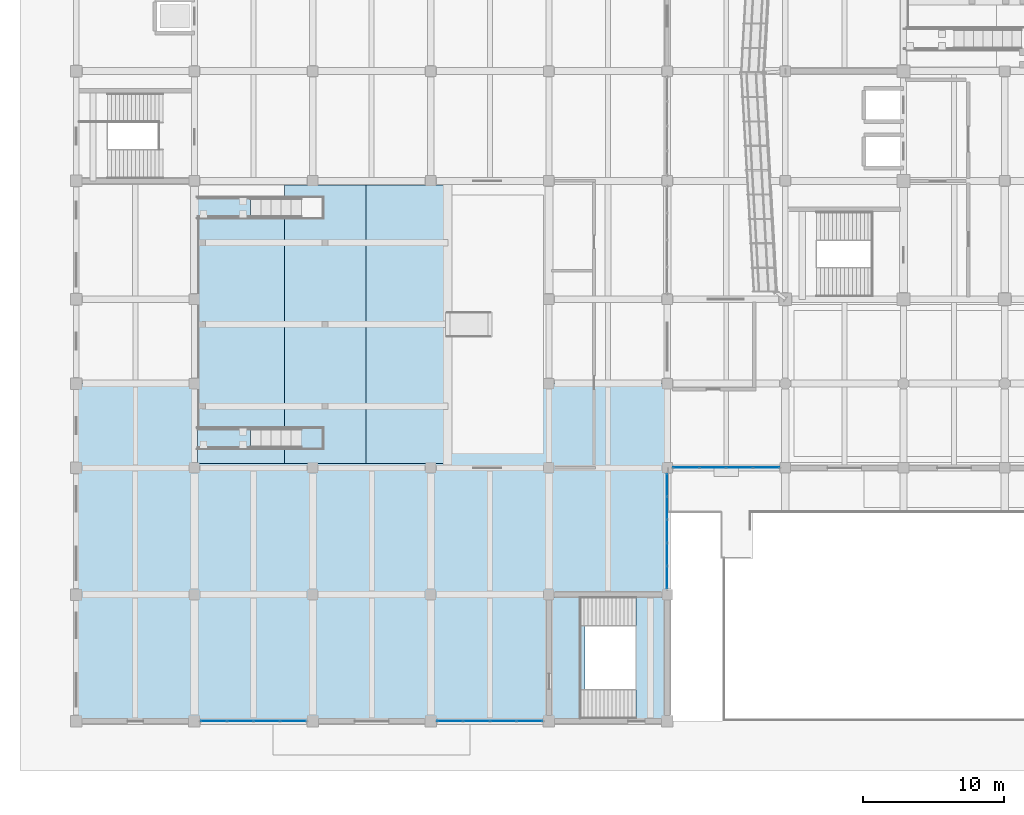
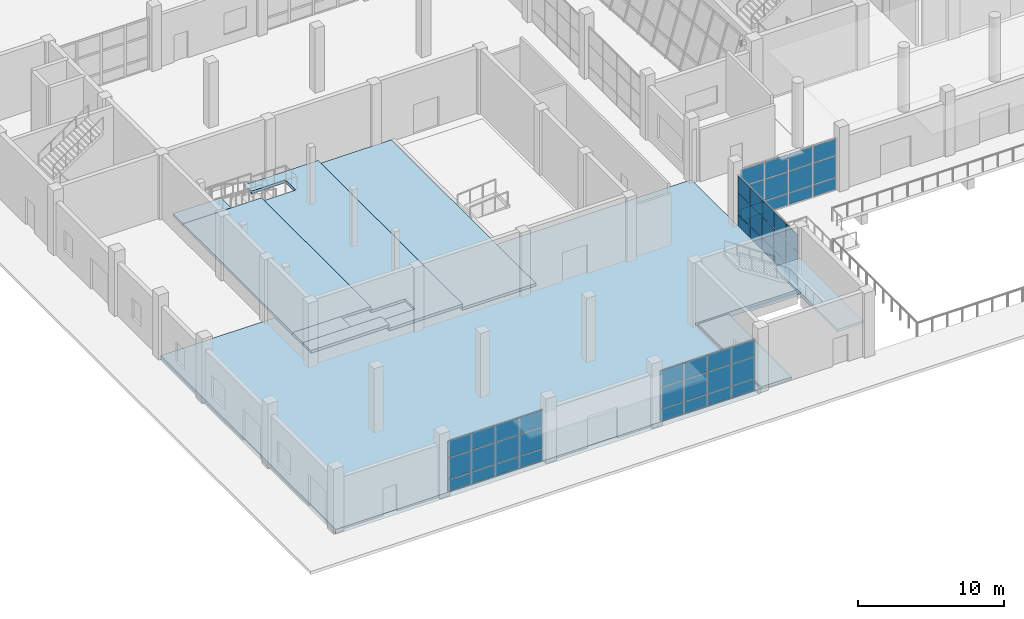
# One storey, part 46 of 78: 51 plates, 9 slabs, 5 elements without a shape of their own.
"""IFC4 building model written with IfcOpenShell, lengths in metres."""

from ifc_helpers import new_model, si_unit, direction, frame, origin, place, context, subcontext, project, spatial, polyline, outline, extrude, material, layer, layer_set, type_object, element, aggregate, save


model = new_model("IFC4")

# Units and contexts
model_context = context("Model", 3, precision=1e-05, world=origin(), true_north=direction((0.0, 1.0)))
body_context = subcontext(model_context, "Body", "Model", "MODEL_VIEW")
ifc_project = project(units=[si_unit("LENGTHUNIT", "METRE"), si_unit("AREAUNIT", "SQUARE_METRE"), si_unit("VOLUMEUNIT", "CUBIC_METRE"), si_unit("PLANEANGLEUNIT", "RADIAN"), si_unit("MASSUNIT", "GRAM", prefix="KILO")], contexts=[model_context])

# Site, building, storey
site_placement = place(None, origin())
site = spatial("IfcSite", under=ifc_project, at=site_placement, CompositionType="ELEMENT")
building_placement = place(site_placement, origin())
building = spatial("IfcBuilding", under=site, at=building_placement, Name="Pellamere Symphony Hall", CompositionType="ELEMENT")
storey_placement = place(building_placement, origin())
storey = spatial("IfcBuildingStorey", under=building, at=storey_placement, Name="L00", CompositionType="ELEMENT", Elevation=0.0)

# Curtain wall, plates
ifc_material_1 = material(Name="Thermally Broken Anodised Aluminium 6063-T6 Curtain Wall", Category="aluminium")
curtain_wall_type_1 = type_object("IfcCurtainWallType", Name="Curtain Wall CW-02 (Winter-Garden South Concourse Curtain Wall)", PredefinedType="NOTDEFINED", material=ifc_material_1)
curtain_wall_1_placement = place(storey_placement, origin())
curtain_wall_1 = element("IfcCurtainWall", 1, at=curtain_wall_1_placement, inside=storey, type_object=curtain_wall_type_1, Name="Winter-Garden South Curtain Wall (L00 Bay 1)", PredefinedType="NOTDEFINED")
ifc_material_2 = material(Name="Triple Low-E Argon Acoustic Glazing 36mm", Category="glass")
ifc_layer_1 = layer(ifc_material_2, 0.035888671875, Name="Triple Low-E Argon Acoustic Glazing 36mm")
ifc_layer_set_1 = layer_set([ifc_layer_1], Name="Triple Low-E Argon Acoustic Glazing 36mm")
plate_type = type_object("IfcPlateType", Name="Facade Panel GL-01 36mm", PredefinedType="CURTAIN_PANEL", material=ifc_layer_set_1)
plate_1_placement = place(storey_placement, frame((42.43994140625, 18.0, 0.06494140625), z_axis=(0.0, -1.0, 0.0), x_axis=(1.0, 0.0, 0.0)))
plate_1 = element("IfcPlate", 2, at=plate_1_placement, type_object=plate_type, Name="CW2-064 crystal glass panel 1.1", PredefinedType="CURTAIN_PANEL", context=body_context, shape_type="SweptSolid", body=[
    extrude(outline(polyline([(0.0, 0.0), (1.81494140625, 0.0), (1.81494140625, 0.946533203125), (0.0, 0.946533203125), (0.0, 0.0)])), origin(), (0.0, 0.0, -1.0), 0.035888671875),
])
plate_2_placement = place(storey_placement, frame((42.43994140625, 18.0, 1.076416015625), z_axis=(0.0, -1.0, 0.0), x_axis=(1.0, 0.0, 0.0)))
plate_2 = element("IfcPlate", 3, at=plate_2_placement, type_object=plate_type, Name="CW2-064 crystal glass panel 1.2", PredefinedType="CURTAIN_PANEL", context=body_context, shape_type="SweptSolid", body=[
    extrude(outline(polyline([(0.0, 0.0), (1.81494140625, 0.0), (1.81494140625, 1.761962890625), (0.0, 1.761962890625), (0.0, 0.0)])), origin(), (0.0, 0.0, -1.0), 0.035888671875),
])
plate_3_placement = place(storey_placement, frame((42.43994140625, 18.0, 2.903564453125), z_axis=(0.0, -1.0, 0.0), x_axis=(1.0, 0.0, 0.0)))
plate_3 = element("IfcPlate", 4, at=plate_3_placement, type_object=plate_type, Name="CW2-064 crystal glass panel 1.3", PredefinedType="CURTAIN_PANEL", context=body_context, shape_type="SweptSolid", body=[
    extrude(outline(polyline([(0.0, 0.0), (1.81494140625, 0.0), (1.81494140625, 1.38134765625), (0.0, 1.38134765625), (0.0, 0.0)])), origin(), (0.0, 0.0, -1.0), 0.035888671875),
])
plate_4_placement = place(storey_placement, frame((44.320068359375, 18.0, 0.06494140625), z_axis=(0.0, -1.0, 0.0), x_axis=(1.0, 0.0, 0.0)))
plate_4 = element("IfcPlate", 5, at=plate_4_placement, type_object=plate_type, Name="CW2-064 crystal glass panel 2.1", PredefinedType="CURTAIN_PANEL", context=body_context, shape_type="SweptSolid", body=[
    extrude(outline(polyline([(0.0, 0.0), (1.847412109375, 0.0), (1.847412109375, 0.946533203125), (0.0, 0.946533203125), (0.0, 0.0)])), origin(), (0.0, 0.0, -1.0), 0.035888671875),
])
plate_5_placement = place(storey_placement, frame((44.320068359375, 18.0, 1.076416015625), z_axis=(0.0, -1.0, 0.0), x_axis=(1.0, 0.0, 0.0)))
plate_5 = element("IfcPlate", 6, at=plate_5_placement, type_object=plate_type, Name="CW2-064 crystal glass panel 2.2", PredefinedType="CURTAIN_PANEL", context=body_context, shape_type="SweptSolid", body=[
    extrude(outline(polyline([(0.0, 0.0), (1.847412109375, 0.0), (1.847412109375, 1.761962890625), (0.0, 1.761962890625), (0.0, 0.0)])), origin(), (0.0, 0.0, -1.0), 0.035888671875),
])
plate_6_placement = place(storey_placement, frame((44.320068359375, 18.0, 2.903564453125), z_axis=(0.0, -1.0, 0.0), x_axis=(1.0, 0.0, 0.0)))
plate_6 = element("IfcPlate", 7, at=plate_6_placement, type_object=plate_type, Name="CW2-064 crystal glass panel 2.3", PredefinedType="CURTAIN_PANEL", context=body_context, shape_type="SweptSolid", body=[
    extrude(outline(polyline([(0.0, 0.0), (1.847412109375, 0.0), (1.847412109375, 1.38134765625), (0.0, 1.38134765625), (0.0, 0.0)])), origin(), (0.0, 0.0, -1.0), 0.035888671875),
])
plate_7_placement = place(storey_placement, frame((46.232421875, 18.0, 0.06494140625), z_axis=(0.0, -1.0, 0.0), x_axis=(1.0, 0.0, 0.0)))
plate_7 = element("IfcPlate", 8, at=plate_7_placement, type_object=plate_type, Name="CW2-064 crystal glass panel 3.1", PredefinedType="CURTAIN_PANEL", context=body_context, shape_type="SweptSolid", body=[
    extrude(outline(polyline([(0.0, 0.0), (1.84765625, 0.0), (1.84765625, 0.946533203125), (0.0, 0.946533203125), (0.0, 0.0)])), origin(), (0.0, 0.0, -1.0), 0.035888671875),
])
plate_8_placement = place(storey_placement, frame((46.232421875, 18.0, 1.076416015625), z_axis=(0.0, -1.0, 0.0), x_axis=(1.0, 0.0, 0.0)))
plate_8 = element("IfcPlate", 9, at=plate_8_placement, type_object=plate_type, Name="CW2-064 crystal glass panel 3.2", PredefinedType="CURTAIN_PANEL", context=body_context, shape_type="SweptSolid", body=[
    extrude(outline(polyline([(0.0, 0.0), (1.84765625, 0.0), (1.84765625, 1.761962890625), (0.0, 1.761962890625), (0.0, 0.0)])), origin(), (0.0, 0.0, -1.0), 0.035888671875),
])
plate_9_placement = place(storey_placement, frame((46.232421875, 18.0, 2.903564453125), z_axis=(0.0, -1.0, 0.0), x_axis=(1.0, 0.0, 0.0)))
plate_9 = element("IfcPlate", 10, at=plate_9_placement, type_object=plate_type, Name="CW2-064 crystal glass panel 3.3", PredefinedType="CURTAIN_PANEL", context=body_context, shape_type="SweptSolid", body=[
    extrude(outline(polyline([(0.0, 0.0), (1.84765625, 0.0), (1.84765625, 1.38134765625), (0.0, 1.38134765625), (0.0, 0.0)])), origin(), (0.0, 0.0, -1.0), 0.035888671875),
])
plate_10_placement = place(storey_placement, frame((48.14501953125, 18.0, 0.06494140625), z_axis=(0.0, -1.0, 0.0), x_axis=(1.0, 0.0, 0.0)))
plate_10 = element("IfcPlate", 11, at=plate_10_placement, type_object=plate_type, Name="CW2-064 crystal glass panel 4.1", PredefinedType="CURTAIN_PANEL", context=body_context, shape_type="SweptSolid", body=[
    extrude(outline(polyline([(0.0, 0.0), (1.81494140625, 0.0), (1.81494140625, 0.946533203125), (0.0, 0.946533203125), (0.0, 0.0)])), origin(), (0.0, 0.0, -1.0), 0.035888671875),
])
plate_11_placement = place(storey_placement, frame((48.14501953125, 18.0, 1.076416015625), z_axis=(0.0, -1.0, 0.0), x_axis=(1.0, 0.0, 0.0)))
plate_11 = element("IfcPlate", 12, at=plate_11_placement, type_object=plate_type, Name="CW2-064 crystal glass panel 4.2", PredefinedType="CURTAIN_PANEL", context=body_context, shape_type="SweptSolid", body=[
    extrude(outline(polyline([(0.0, 0.0), (1.81494140625, 0.0), (1.81494140625, 1.761962890625), (0.0, 1.761962890625), (0.0, 0.0)])), origin(), (0.0, 0.0, -1.0), 0.035888671875),
])
plate_12_placement = place(storey_placement, frame((48.14501953125, 18.0, 2.903564453125), z_axis=(0.0, -1.0, 0.0), x_axis=(1.0, 0.0, 0.0)))
plate_12 = element("IfcPlate", 13, at=plate_12_placement, type_object=plate_type, Name="CW2-064 crystal glass panel 4.3", PredefinedType="CURTAIN_PANEL", context=body_context, shape_type="SweptSolid", body=[
    extrude(outline(polyline([(0.0, 0.0), (1.81494140625, 0.0), (1.81494140625, 1.38134765625), (0.0, 1.38134765625), (0.0, 0.0)])), origin(), (0.0, 0.0, -1.0), 0.035888671875),
])
aggregate(curtain_wall_1, [plate_1, plate_2, plate_3, plate_4, plate_5, plate_6, plate_7, plate_8, plate_9, plate_10, plate_11, plate_12])

curtain_wall_type_2 = type_object("IfcCurtainWallType", Name="Curtain Wall CW-04 (Chamber Music Lobby Curtain Wall)", PredefinedType="NOTDEFINED", material=ifc_material_1)
curtain_wall_2_placement = place(storey_placement, origin())
curtain_wall_2 = element("IfcCurtainWall", 14, at=curtain_wall_2_placement, inside=storey, type_object=curtain_wall_type_2, Name="Chamber Lobby South Curtain Wall (L00 Bay 1)", PredefinedType="NOTDEFINED")
plate_13_placement = place(storey_placement, frame((8.875, 0.0, 0.06494140625), z_axis=(0.0, -1.0, 0.0), x_axis=(1.0, 0.0, 0.0)))
plate_13 = element("IfcPlate", 15, at=plate_13_placement, type_object=plate_type, Name="CW4-107 crystal glass panel 1.1", PredefinedType="CURTAIN_PANEL", context=body_context, shape_type="SweptSolid", body=[
    extrude(outline(polyline([(0.0, 0.0), (1.797607421875, 0.0), (1.797607421875, 0.946533203125), (0.0, 0.946533203125), (0.0, 0.0)])), origin(), (0.0, 0.0, -1.0), 0.035888671875),
])
plate_14_placement = place(storey_placement, frame((8.875, 0.0, 1.076416015625), z_axis=(0.0, -1.0, 0.0), x_axis=(1.0, 0.0, 0.0)))
plate_14 = element("IfcPlate", 16, at=plate_14_placement, type_object=plate_type, Name="CW4-107 crystal glass panel 1.2", PredefinedType="CURTAIN_PANEL", context=body_context, shape_type="SweptSolid", body=[
    extrude(outline(polyline([(0.0, 0.0), (1.797607421875, 0.0), (1.797607421875, 1.761962890625), (0.0, 1.761962890625), (0.0, 0.0)])), origin(), (0.0, 0.0, -1.0), 0.035888671875),
])
plate_15_placement = place(storey_placement, frame((8.875, 0.0, 2.903564453125), z_axis=(0.0, -1.0, 0.0), x_axis=(1.0, 0.0, 0.0)))
plate_15 = element("IfcPlate", 17, at=plate_15_placement, type_object=plate_type, Name="CW4-107 crystal glass panel 1.3", PredefinedType="CURTAIN_PANEL", context=body_context, shape_type="SweptSolid", body=[
    extrude(outline(polyline([(0.0, 0.0), (1.797607421875, 0.0), (1.797607421875, 1.38134765625), (0.0, 1.38134765625), (0.0, 0.0)])), origin(), (0.0, 0.0, -1.0), 0.035888671875),
])
plate_16_placement = place(storey_placement, frame((10.737548828125, 0.0, 0.06494140625), z_axis=(0.0, -1.0, 0.0), x_axis=(1.0, 0.0, 0.0)))
plate_16 = element("IfcPlate", 18, at=plate_16_placement, type_object=plate_type, Name="CW4-107 crystal glass panel 2.1", PredefinedType="CURTAIN_PANEL", context=body_context, shape_type="SweptSolid", body=[
    extrude(outline(polyline([(0.0, 0.0), (1.829833984375, 0.0), (1.829833984375, 0.946533203125), (0.0, 0.946533203125), (0.0, 0.0)])), origin(), (0.0, 0.0, -1.0), 0.035888671875),
])
plate_17_placement = place(storey_placement, frame((10.737548828125, 0.0, 1.076416015625), z_axis=(0.0, -1.0, 0.0), x_axis=(1.0, 0.0, 0.0)))
plate_17 = element("IfcPlate", 19, at=plate_17_placement, type_object=plate_type, Name="CW4-107 crystal glass panel 2.2", PredefinedType="CURTAIN_PANEL", context=body_context, shape_type="SweptSolid", body=[
    extrude(outline(polyline([(0.0, 0.0), (1.829833984375, 0.0), (1.829833984375, 1.761962890625), (0.0, 1.761962890625), (0.0, 0.0)])), origin(), (0.0, 0.0, -1.0), 0.035888671875),
])
plate_18_placement = place(storey_placement, frame((10.737548828125, 0.0, 2.903564453125), z_axis=(0.0, -1.0, 0.0), x_axis=(1.0, 0.0, 0.0)))
plate_18 = element("IfcPlate", 20, at=plate_18_placement, type_object=plate_type, Name="CW4-107 crystal glass panel 2.3", PredefinedType="CURTAIN_PANEL", context=body_context, shape_type="SweptSolid", body=[
    extrude(outline(polyline([(0.0, 0.0), (1.829833984375, 0.0), (1.829833984375, 1.38134765625), (0.0, 1.38134765625), (0.0, 0.0)])), origin(), (0.0, 0.0, -1.0), 0.035888671875),
])
plate_19_placement = place(storey_placement, frame((12.632568359375, 0.0, 0.06494140625), z_axis=(0.0, -1.0, 0.0), x_axis=(1.0, 0.0, 0.0)))
plate_19 = element("IfcPlate", 21, at=plate_19_placement, type_object=plate_type, Name="CW4-107 crystal glass panel 3.1", PredefinedType="CURTAIN_PANEL", context=body_context, shape_type="SweptSolid", body=[
    extrude(outline(polyline([(0.0, 0.0), (1.829833984375, 0.0), (1.829833984375, 0.946533203125), (0.0, 0.946533203125), (0.0, 0.0)])), origin(), (0.0, 0.0, -1.0), 0.035888671875),
])
plate_20_placement = place(storey_placement, frame((12.632568359375, 0.0, 1.076416015625), z_axis=(0.0, -1.0, 0.0), x_axis=(1.0, 0.0, 0.0)))
plate_20 = element("IfcPlate", 22, at=plate_20_placement, type_object=plate_type, Name="CW4-107 crystal glass panel 3.2", PredefinedType="CURTAIN_PANEL", context=body_context, shape_type="SweptSolid", body=[
    extrude(outline(polyline([(0.0, 0.0), (1.829833984375, 0.0), (1.829833984375, 1.761962890625), (0.0, 1.761962890625), (0.0, 0.0)])), origin(), (0.0, 0.0, -1.0), 0.035888671875),
])
plate_21_placement = place(storey_placement, frame((12.632568359375, 0.0, 2.903564453125), z_axis=(0.0, -1.0, 0.0), x_axis=(1.0, 0.0, 0.0)))
plate_21 = element("IfcPlate", 23, at=plate_21_placement, type_object=plate_type, Name="CW4-107 crystal glass panel 3.3", PredefinedType="CURTAIN_PANEL", context=body_context, shape_type="SweptSolid", body=[
    extrude(outline(polyline([(0.0, 0.0), (1.829833984375, 0.0), (1.829833984375, 1.38134765625), (0.0, 1.38134765625), (0.0, 0.0)])), origin(), (0.0, 0.0, -1.0), 0.035888671875),
])
plate_22_placement = place(storey_placement, frame((14.527587890625, 0.0, 0.06494140625), z_axis=(0.0, -1.0, 0.0), x_axis=(1.0, 0.0, 0.0)))
plate_22 = element("IfcPlate", 24, at=plate_22_placement, type_object=plate_type, Name="CW4-107 crystal glass panel 4.1", PredefinedType="CURTAIN_PANEL", context=body_context, shape_type="SweptSolid", body=[
    extrude(outline(polyline([(0.0, 0.0), (1.79736328125, 0.0), (1.79736328125, 0.946533203125), (0.0, 0.946533203125), (0.0, 0.0)])), origin(), (0.0, 0.0, -1.0), 0.035888671875),
])
plate_23_placement = place(storey_placement, frame((14.527587890625, 0.0, 1.076416015625), z_axis=(0.0, -1.0, 0.0), x_axis=(1.0, 0.0, 0.0)))
plate_23 = element("IfcPlate", 25, at=plate_23_placement, type_object=plate_type, Name="CW4-107 crystal glass panel 4.2", PredefinedType="CURTAIN_PANEL", context=body_context, shape_type="SweptSolid", body=[
    extrude(outline(polyline([(0.0, 0.0), (1.79736328125, 0.0), (1.79736328125, 1.761962890625), (0.0, 1.761962890625), (0.0, 0.0)])), origin(), (0.0, 0.0, -1.0), 0.035888671875),
])
plate_24_placement = place(storey_placement, frame((14.527587890625, 0.0, 2.903564453125), z_axis=(0.0, -1.0, 0.0), x_axis=(1.0, 0.0, 0.0)))
plate_24 = element("IfcPlate", 26, at=plate_24_placement, type_object=plate_type, Name="CW4-107 crystal glass panel 4.3", PredefinedType="CURTAIN_PANEL", context=body_context, shape_type="SweptSolid", body=[
    extrude(outline(polyline([(0.0, 0.0), (1.79736328125, 0.0), (1.79736328125, 1.38134765625), (0.0, 1.38134765625), (0.0, 0.0)])), origin(), (0.0, 0.0, -1.0), 0.035888671875),
])
aggregate(curtain_wall_2, [plate_13, plate_14, plate_15, plate_16, plate_17, plate_18, plate_19, plate_20, plate_21, plate_22, plate_23, plate_24])

curtain_wall_3_placement = place(storey_placement, origin())
curtain_wall_3 = element("IfcCurtainWall", 27, at=curtain_wall_3_placement, inside=storey, type_object=curtain_wall_type_2, Name="Chamber Lobby South Curtain Wall (L00 Bay 2)", PredefinedType="NOTDEFINED")
plate_25_placement = place(storey_placement, frame((25.675048828125, 0.0, 0.06494140625), z_axis=(0.0, -1.0, 0.0), x_axis=(1.0, 0.0, 0.0)))
plate_25 = element("IfcPlate", 28, at=plate_25_placement, type_object=plate_type, Name="CW4-108 crystal glass panel 1.1", PredefinedType="CURTAIN_PANEL", context=body_context, shape_type="SweptSolid", body=[
    extrude(outline(polyline([(0.0, 0.0), (1.79736328125, 0.0), (1.79736328125, 0.946533203125), (0.0, 0.946533203125), (0.0, 0.0)])), origin(), (0.0, 0.0, -1.0), 0.035888671875),
])
plate_26_placement = place(storey_placement, frame((25.675048828125, 0.0, 1.076416015625), z_axis=(0.0, -1.0, 0.0), x_axis=(1.0, 0.0, 0.0)))
plate_26 = element("IfcPlate", 29, at=plate_26_placement, type_object=plate_type, Name="CW4-108 crystal glass panel 1.2", PredefinedType="CURTAIN_PANEL", context=body_context, shape_type="SweptSolid", body=[
    extrude(outline(polyline([(0.0, 0.0), (1.79736328125, 0.0), (1.79736328125, 1.761962890625), (0.0, 1.761962890625), (0.0, 0.0)])), origin(), (0.0, 0.0, -1.0), 0.035888671875),
])
plate_27_placement = place(storey_placement, frame((25.675048828125, 0.0, 2.903564453125), z_axis=(0.0, -1.0, 0.0), x_axis=(1.0, 0.0, 0.0)))
plate_27 = element("IfcPlate", 30, at=plate_27_placement, type_object=plate_type, Name="CW4-108 crystal glass panel 1.3", PredefinedType="CURTAIN_PANEL", context=body_context, shape_type="SweptSolid", body=[
    extrude(outline(polyline([(0.0, 0.0), (1.79736328125, 0.0), (1.79736328125, 1.38134765625), (0.0, 1.38134765625), (0.0, 0.0)])), origin(), (0.0, 0.0, -1.0), 0.035888671875),
])
plate_28_placement = place(storey_placement, frame((27.53759765625, 0.0, 0.06494140625), z_axis=(0.0, -1.0, 0.0), x_axis=(1.0, 0.0, 0.0)))
plate_28 = element("IfcPlate", 31, at=plate_28_placement, type_object=plate_type, Name="CW4-108 crystal glass panel 2.1", PredefinedType="CURTAIN_PANEL", context=body_context, shape_type="SweptSolid", body=[
    extrude(outline(polyline([(0.0, 0.0), (1.829833984375, 0.0), (1.829833984375, 0.946533203125), (0.0, 0.946533203125), (0.0, 0.0)])), origin(), (0.0, 0.0, -1.0), 0.035888671875),
])
plate_29_placement = place(storey_placement, frame((27.53759765625, 0.0, 1.076416015625), z_axis=(0.0, -1.0, 0.0), x_axis=(1.0, 0.0, 0.0)))
plate_29 = element("IfcPlate", 32, at=plate_29_placement, type_object=plate_type, Name="CW4-108 crystal glass panel 2.2", PredefinedType="CURTAIN_PANEL", context=body_context, shape_type="SweptSolid", body=[
    extrude(outline(polyline([(0.0, 0.0), (1.829833984375, 0.0), (1.829833984375, 1.761962890625), (0.0, 1.761962890625), (0.0, 0.0)])), origin(), (0.0, 0.0, -1.0), 0.035888671875),
])
plate_30_placement = place(storey_placement, frame((27.53759765625, 0.0, 2.903564453125), z_axis=(0.0, -1.0, 0.0), x_axis=(1.0, 0.0, 0.0)))
plate_30 = element("IfcPlate", 33, at=plate_30_placement, type_object=plate_type, Name="CW4-108 crystal glass panel 2.3", PredefinedType="CURTAIN_PANEL", context=body_context, shape_type="SweptSolid", body=[
    extrude(outline(polyline([(0.0, 0.0), (1.829833984375, 0.0), (1.829833984375, 1.38134765625), (0.0, 1.38134765625), (0.0, 0.0)])), origin(), (0.0, 0.0, -1.0), 0.035888671875),
])
plate_31_placement = place(storey_placement, frame((29.4326171875, 0.0, 0.06494140625), z_axis=(0.0, -1.0, 0.0), x_axis=(1.0, 0.0, 0.0)))
plate_31 = element("IfcPlate", 34, at=plate_31_placement, type_object=plate_type, Name="CW4-108 crystal glass panel 3.1", PredefinedType="CURTAIN_PANEL", context=body_context, shape_type="SweptSolid", body=[
    extrude(outline(polyline([(0.0, 0.0), (1.829833984375, 0.0), (1.829833984375, 0.946533203125), (0.0, 0.946533203125), (0.0, 0.0)])), origin(), (0.0, 0.0, -1.0), 0.035888671875),
])
plate_32_placement = place(storey_placement, frame((29.4326171875, 0.0, 1.076416015625), z_axis=(0.0, -1.0, 0.0), x_axis=(1.0, 0.0, 0.0)))
plate_32 = element("IfcPlate", 35, at=plate_32_placement, type_object=plate_type, Name="CW4-108 crystal glass panel 3.2", PredefinedType="CURTAIN_PANEL", context=body_context, shape_type="SweptSolid", body=[
    extrude(outline(polyline([(0.0, 0.0), (1.829833984375, 0.0), (1.829833984375, 1.761962890625), (0.0, 1.761962890625), (0.0, 0.0)])), origin(), (0.0, 0.0, -1.0), 0.035888671875),
])
plate_33_placement = place(storey_placement, frame((29.4326171875, 0.0, 2.903564453125), z_axis=(0.0, -1.0, 0.0), x_axis=(1.0, 0.0, 0.0)))
plate_33 = element("IfcPlate", 36, at=plate_33_placement, type_object=plate_type, Name="CW4-108 crystal glass panel 3.3", PredefinedType="CURTAIN_PANEL", context=body_context, shape_type="SweptSolid", body=[
    extrude(outline(polyline([(0.0, 0.0), (1.829833984375, 0.0), (1.829833984375, 1.38134765625), (0.0, 1.38134765625), (0.0, 0.0)])), origin(), (0.0, 0.0, -1.0), 0.035888671875),
])
plate_34_placement = place(storey_placement, frame((31.327392578125, 0.0, 0.06494140625), z_axis=(0.0, -1.0, 0.0), x_axis=(1.0, 0.0, 0.0)))
plate_34 = element("IfcPlate", 37, at=plate_34_placement, type_object=plate_type, Name="CW4-108 crystal glass panel 4.1", PredefinedType="CURTAIN_PANEL", context=body_context, shape_type="SweptSolid", body=[
    extrude(outline(polyline([(0.0, 0.0), (1.797607421875, 0.0), (1.797607421875, 0.946533203125), (0.0, 0.946533203125), (0.0, 0.0)])), origin(), (0.0, 0.0, -1.0), 0.035888671875),
])
plate_35_placement = place(storey_placement, frame((31.327392578125, 0.0, 1.076416015625), z_axis=(0.0, -1.0, 0.0), x_axis=(1.0, 0.0, 0.0)))
plate_35 = element("IfcPlate", 38, at=plate_35_placement, type_object=plate_type, Name="CW4-108 crystal glass panel 4.2", PredefinedType="CURTAIN_PANEL", context=body_context, shape_type="SweptSolid", body=[
    extrude(outline(polyline([(0.0, 0.0), (1.797607421875, 0.0), (1.797607421875, 1.761962890625), (0.0, 1.761962890625), (0.0, 0.0)])), origin(), (0.0, 0.0, -1.0), 0.035888671875),
])
plate_36_placement = place(storey_placement, frame((31.327392578125, 0.0, 2.903564453125), z_axis=(0.0, -1.0, 0.0), x_axis=(1.0, 0.0, 0.0)))
plate_36 = element("IfcPlate", 39, at=plate_36_placement, type_object=plate_type, Name="CW4-108 crystal glass panel 4.3", PredefinedType="CURTAIN_PANEL", context=body_context, shape_type="SweptSolid", body=[
    extrude(outline(polyline([(0.0, 0.0), (1.797607421875, 0.0), (1.797607421875, 1.38134765625), (0.0, 1.38134765625), (0.0, 0.0)])), origin(), (0.0, 0.0, -1.0), 0.035888671875),
])
aggregate(curtain_wall_3, [plate_25, plate_26, plate_27, plate_28, plate_29, plate_30, plate_31, plate_32, plate_33, plate_34, plate_35, plate_36])

curtain_wall_4_placement = place(storey_placement, origin())
curtain_wall_4 = element("IfcCurtainWall", 40, at=curtain_wall_4_placement, inside=storey, type_object=curtain_wall_type_2, Name="Chamber Forecourt East Curtain Wall (L00 Bay 1)", PredefinedType="NOTDEFINED")
plate_37_placement = place(storey_placement, frame((42.0, 9.43994140625, 0.06494140625), z_axis=(1.0, 0.0, 0.0), x_axis=(0.0, 1.0, 0.0)))
plate_37 = element("IfcPlate", 41, at=plate_37_placement, type_object=plate_type, Name="CW4E-109 crystal glass panel 1.1", PredefinedType="CURTAIN_PANEL", context=body_context, shape_type="SweptSolid", body=[
    extrude(outline(polyline([(0.0, 0.0), (1.552490234375, 0.0), (1.552490234375, 0.9345703125), (0.0, 0.9345703125), (0.0, 0.0)])), origin(), (0.0, 0.0, -1.0), 0.035888671875),
])
plate_38_placement = place(storey_placement, frame((42.0, 9.43994140625, 1.064453125), z_axis=(1.0, 0.0, 0.0), x_axis=(0.0, 1.0, 0.0)))
plate_38 = element("IfcPlate", 42, at=plate_38_placement, type_object=plate_type, Name="CW4E-109 crystal glass panel 1.2", PredefinedType="CURTAIN_PANEL", context=body_context, shape_type="SweptSolid", body=[
    extrude(outline(polyline([(0.0, 0.0), (1.552490234375, 0.0), (1.552490234375, 1.740966796875), (0.0, 1.740966796875), (0.0, 0.0)])), origin(), (0.0, 0.0, -1.0), 0.035888671875),
])
plate_39_placement = place(storey_placement, frame((42.0, 9.43994140625, 2.87060546875), z_axis=(1.0, 0.0, 0.0), x_axis=(0.0, 1.0, 0.0)))
plate_39 = element("IfcPlate", 43, at=plate_39_placement, type_object=plate_type, Name="CW4E-109 crystal glass panel 1.3", PredefinedType="CURTAIN_PANEL", context=body_context, shape_type="SweptSolid", body=[
    extrude(outline(polyline([(0.0, 0.0), (1.552490234375, 0.0), (1.552490234375, 1.364501953125), (0.0, 1.364501953125), (0.0, 0.0)])), origin(), (0.0, 0.0, -1.0), 0.035888671875),
])
plate_40_placement = place(storey_placement, frame((42.0, 11.0576171875, 0.06494140625), z_axis=(1.0, 0.0, 0.0), x_axis=(0.0, 1.0, 0.0)))
plate_40 = element("IfcPlate", 44, at=plate_40_placement, type_object=plate_type, Name="CW4E-109 crystal glass panel 2.1", PredefinedType="CURTAIN_PANEL", context=body_context, shape_type="SweptSolid", body=[
    extrude(outline(polyline([(0.0, 0.0), (1.5849609375, 0.0), (1.5849609375, 0.9345703125), (0.0, 0.9345703125), (0.0, 0.0)])), origin(), (0.0, 0.0, -1.0), 0.035888671875),
])
plate_41_placement = place(storey_placement, frame((42.0, 11.0576171875, 1.064453125), z_axis=(1.0, 0.0, 0.0), x_axis=(0.0, 1.0, 0.0)))
plate_41 = element("IfcPlate", 45, at=plate_41_placement, type_object=plate_type, Name="CW4E-109 crystal glass panel 2.2", PredefinedType="CURTAIN_PANEL", context=body_context, shape_type="SweptSolid", body=[
    extrude(outline(polyline([(0.0, 0.0), (1.5849609375, 0.0), (1.5849609375, 1.740966796875), (0.0, 1.740966796875), (0.0, 0.0)])), origin(), (0.0, 0.0, -1.0), 0.035888671875),
])
plate_42_placement = place(storey_placement, frame((42.0, 11.0576171875, 2.87060546875), z_axis=(1.0, 0.0, 0.0), x_axis=(0.0, 1.0, 0.0)))
plate_42 = element("IfcPlate", 46, at=plate_42_placement, type_object=plate_type, Name="CW4E-109 crystal glass panel 2.3", PredefinedType="CURTAIN_PANEL", context=body_context, shape_type="SweptSolid", body=[
    extrude(outline(polyline([(0.0, 0.0), (1.5849609375, 0.0), (1.5849609375, 1.364501953125), (0.0, 1.364501953125), (0.0, 0.0)])), origin(), (0.0, 0.0, -1.0), 0.035888671875),
])
plate_43_placement = place(storey_placement, frame((42.0, 12.70751953125, 0.06494140625), z_axis=(1.0, 0.0, 0.0), x_axis=(0.0, 1.0, 0.0)))
plate_43 = element("IfcPlate", 47, at=plate_43_placement, type_object=plate_type, Name="CW4E-109 crystal glass panel 3.1", PredefinedType="CURTAIN_PANEL", context=body_context, shape_type="SweptSolid", body=[
    extrude(outline(polyline([(0.0, 0.0), (1.5849609375, 0.0), (1.5849609375, 0.9345703125), (0.0, 0.9345703125), (0.0, 0.0)])), origin(), (0.0, 0.0, -1.0), 0.035888671875),
])
plate_44_placement = place(storey_placement, frame((42.0, 12.70751953125, 1.064453125), z_axis=(1.0, 0.0, 0.0), x_axis=(0.0, 1.0, 0.0)))
plate_44 = element("IfcPlate", 48, at=plate_44_placement, type_object=plate_type, Name="CW4E-109 crystal glass panel 3.2", PredefinedType="CURTAIN_PANEL", context=body_context, shape_type="SweptSolid", body=[
    extrude(outline(polyline([(0.0, 0.0), (1.5849609375, 0.0), (1.5849609375, 1.740966796875), (0.0, 1.740966796875), (0.0, 0.0)])), origin(), (0.0, 0.0, -1.0), 0.035888671875),
])
plate_45_placement = place(storey_placement, frame((42.0, 12.70751953125, 2.87060546875), z_axis=(1.0, 0.0, 0.0), x_axis=(0.0, 1.0, 0.0)))
plate_45 = element("IfcPlate", 49, at=plate_45_placement, type_object=plate_type, Name="CW4E-109 crystal glass panel 3.3", PredefinedType="CURTAIN_PANEL", context=body_context, shape_type="SweptSolid", body=[
    extrude(outline(polyline([(0.0, 0.0), (1.5849609375, 0.0), (1.5849609375, 1.364501953125), (0.0, 1.364501953125), (0.0, 0.0)])), origin(), (0.0, 0.0, -1.0), 0.035888671875),
])
plate_46_placement = place(storey_placement, frame((42.0, 14.357421875, 0.06494140625), z_axis=(1.0, 0.0, 0.0), x_axis=(0.0, 1.0, 0.0)))
plate_46 = element("IfcPlate", 50, at=plate_46_placement, type_object=plate_type, Name="CW4E-109 crystal glass panel 4.1", PredefinedType="CURTAIN_PANEL", context=body_context, shape_type="SweptSolid", body=[
    extrude(outline(polyline([(0.0, 0.0), (1.5849609375, 0.0), (1.5849609375, 0.9345703125), (0.0, 0.9345703125), (0.0, 0.0)])), origin(), (0.0, 0.0, -1.0), 0.035888671875),
])
plate_47_placement = place(storey_placement, frame((42.0, 14.357421875, 1.064453125), z_axis=(1.0, 0.0, 0.0), x_axis=(0.0, 1.0, 0.0)))
plate_47 = element("IfcPlate", 51, at=plate_47_placement, type_object=plate_type, Name="CW4E-109 crystal glass panel 4.2", PredefinedType="CURTAIN_PANEL", context=body_context, shape_type="SweptSolid", body=[
    extrude(outline(polyline([(0.0, 0.0), (1.5849609375, 0.0), (1.5849609375, 1.740966796875), (0.0, 1.740966796875), (0.0, 0.0)])), origin(), (0.0, 0.0, -1.0), 0.035888671875),
])
plate_48_placement = place(storey_placement, frame((42.0, 14.357421875, 2.87060546875), z_axis=(1.0, 0.0, 0.0), x_axis=(0.0, 1.0, 0.0)))
plate_48 = element("IfcPlate", 52, at=plate_48_placement, type_object=plate_type, Name="CW4E-109 crystal glass panel 4.3", PredefinedType="CURTAIN_PANEL", context=body_context, shape_type="SweptSolid", body=[
    extrude(outline(polyline([(0.0, 0.0), (1.5849609375, 0.0), (1.5849609375, 1.364501953125), (0.0, 1.364501953125), (0.0, 0.0)])), origin(), (0.0, 0.0, -1.0), 0.035888671875),
])
plate_49_placement = place(storey_placement, frame((42.0, 16.007568359375, 0.06494140625), z_axis=(1.0, 0.0, 0.0), x_axis=(0.0, 1.0, 0.0)))
plate_49 = element("IfcPlate", 53, at=plate_49_placement, type_object=plate_type, Name="CW4E-109 crystal glass panel 5.1", PredefinedType="CURTAIN_PANEL", context=body_context, shape_type="SweptSolid", body=[
    extrude(outline(polyline([(0.0, 0.0), (1.552490234375, 0.0), (1.552490234375, 0.9345703125), (0.0, 0.9345703125), (0.0, 0.0)])), origin(), (0.0, 0.0, -1.0), 0.035888671875),
])
plate_50_placement = place(storey_placement, frame((42.0, 16.007568359375, 1.064453125), z_axis=(1.0, 0.0, 0.0), x_axis=(0.0, 1.0, 0.0)))
plate_50 = element("IfcPlate", 54, at=plate_50_placement, type_object=plate_type, Name="CW4E-109 crystal glass panel 5.2", PredefinedType="CURTAIN_PANEL", context=body_context, shape_type="SweptSolid", body=[
    extrude(outline(polyline([(0.0, 0.0), (1.552490234375, 0.0), (1.552490234375, 1.740966796875), (0.0, 1.740966796875), (0.0, 0.0)])), origin(), (0.0, 0.0, -1.0), 0.035888671875),
])
plate_51_placement = place(storey_placement, frame((42.0, 16.007568359375, 2.87060546875), z_axis=(1.0, 0.0, 0.0), x_axis=(0.0, 1.0, 0.0)))
plate_51 = element("IfcPlate", 55, at=plate_51_placement, type_object=plate_type, Name="CW4E-109 crystal glass panel 5.3", PredefinedType="CURTAIN_PANEL", context=body_context, shape_type="SweptSolid", body=[
    extrude(outline(polyline([(0.0, 0.0), (1.552490234375, 0.0), (1.552490234375, 1.364501953125), (0.0, 1.364501953125), (0.0, 0.0)])), origin(), (0.0, 0.0, -1.0), 0.035888671875),
])
aggregate(curtain_wall_4, [plate_37, plate_38, plate_39, plate_40, plate_41, plate_42, plate_43, plate_44, plate_45, plate_46, plate_47, plate_48, plate_49, plate_50, plate_51])

# Stair, slabs
ifc_material_3 = material(Name="Concrete 40 MPa", Category="concrete")
stair_type = type_object("IfcStairType", Name="Stair ST-B W2050", PredefinedType="HALF_TURN_STAIR", material=ifc_material_3)
stair_placement = place(storey_placement, origin())
stair = element("IfcStair", 56, at=stair_placement, inside=storey, type_object=stair_type, Name="Exit Stair ST09-L00 (L00 to L01)", PredefinedType="HALF_TURN_STAIR")
ifc_layer_2 = layer(ifc_material_3, 0.219970703125, Name="Concrete 40 MPa")
ifc_layer_set_2 = layer_set([ifc_layer_2], Name="Concrete 40 MPa")
slab_type_1 = type_object("IfcSlabType", Name="Stair Landing SL-01 220mm", PredefinedType="LANDING", material=ifc_layer_set_2)
slab_1_placement = place(storey_placement, frame((0.0, 0.0, -0.219970703125)))
slab_1 = element("IfcSlab", 57, at=slab_1_placement, type_object=slab_type_1, Name="Stair ST09-L00 Bottom Landing (L00)", PredefinedType="LANDING", context=body_context, shape_type="SweptSolid", body=[
    extrude(outline(polyline([(33.760009765625, 0.159912109375), (36.175048828125, 0.159912109375), (36.175048828125, 8.840087890625), (33.760009765625, 8.840087890625), (33.760009765625, 0.159912109375)])), origin(), (0.0, 0.0, 1.0), 0.219970703125),
])
slab_2_placement = place(storey_placement, frame((0.0, 0.0, 2.47998046875)))
slab_2 = element("IfcSlab", 58, at=slab_2_placement, type_object=slab_type_1, Name="Stair ST09-L00 Half Landing (L00)", PredefinedType="LANDING", context=body_context, shape_type="SweptSolid", body=[
    extrude(outline(polyline([(39.77490234375, 0.159912109375), (41.840087890625, 0.159912109375), (41.840087890625, 8.840087890625), (39.77490234375, 8.840087890625), (39.77490234375, 0.159912109375)])), origin(), (0.0, 0.0, 1.0), 0.219970703125),
])
aggregate(stair, [slab_1, slab_2])

# Slabs
slab_3_placement = place(storey_placement, frame((0.0, 0.0, 0.6298828125)))
element("IfcSlab", 59, at=slab_3_placement, inside=storey, type_object=slab_type_1, Name="Vomitory VOM-05 Upper Arrival Platform", PredefinedType="LANDING", context=body_context, shape_type="SweptSolid", body=[
    extrude(outline(polyline([(8.60009765625, 19.39990234375), (12.39990234375, 19.39990234375), (12.39990234375, 20.800048828125), (8.60009765625, 20.800048828125), (8.60009765625, 19.39990234375)])), origin(), (0.0, 0.0, 1.0), 0.22021484375),
])
slab_4_placement = place(storey_placement, frame((0.0, 0.0, 0.6298828125)))
element("IfcSlab", 60, at=slab_4_placement, inside=storey, type_object=slab_type_1, Name="Vomitory VOM-06 Upper Arrival Platform", PredefinedType="LANDING", context=body_context, shape_type="SweptSolid", body=[
    extrude(outline(polyline([(8.60009765625, 35.800048828125), (12.39990234375, 35.800048828125), (12.39990234375, 37.199951171875), (8.60009765625, 37.199951171875), (8.60009765625, 35.800048828125)])), origin(), (0.0, 0.0, 1.0), 0.22021484375),
])
ifc_layer_3 = layer(ifc_material_3, 0.419921875, Name="Concrete 40 MPa")
ifc_layer_set_3 = layer_set([ifc_layer_3], Name="Concrete 40 MPa")
slab_type_2 = type_object("IfcSlabType", Name="Structural Slab BS-03 420mm", PredefinedType="BASESLAB", material=ifc_layer_set_3)
slab_5_placement = place(storey_placement, frame((0.0, 0.0, -0.419921875)))
element("IfcSlab", 61, at=slab_5_placement, inside=storey, type_object=slab_type_2, Name="Floor Slab L00-V2S-1", PredefinedType="BASESLAB", context=body_context, shape_type="SweptSolid", body=[
    extrude(outline(polyline([(0.0, 0.0), (0.0, 24.0), (42.0, 24.0), (42.0, 9.0), (33.60009765625, 9.0), (33.60009765625, 0.0), (0.0, 0.0)])), origin(), (0.0, 0.0, 1.0), 0.419921875),
])
ifc_material_4 = material(Name="Precast concrete 40 MPa", Category="concrete")
ifc_layer_4 = layer(ifc_material_4, 0.219970703125, Name="Precast concrete 40 MPa")
ifc_layer_set_4 = layer_set([ifc_layer_4], Name="Precast concrete 40 MPa")
slab_type_3 = type_object("IfcSlabType", Name="Structural Slab ST-T1 220mm", PredefinedType="USERDEFINED", material=ifc_layer_set_4)
slab_6_placement = place(storey_placement, frame((0.0, 0.0, 0.030029296875)))
element("IfcSlab", 62, at=slab_6_placement, inside=storey, type_object=slab_type_3, Name="Stand Chamber Stalls Bay 1", ObjectType="SEATING TIER", PredefinedType="USERDEFINED", context=body_context, shape_type="SweptSolid", body=[
    extrude(outline(polyline([(20.60009765625, 18.300048828125), (20.60009765625, 38.10009765625), (26.39990234375, 38.10009765625), (26.39990234375, 18.300048828125), (20.60009765625, 18.300048828125)])), origin(), (0.0, 0.0, 1.0), 0.219970703125),
])
slab_7_placement = place(storey_placement, frame((0.0, 0.0, 0.330078125)))
element("IfcSlab", 63, at=slab_7_placement, inside=storey, type_object=slab_type_3, Name="Stand Chamber Stalls Bay 2", ObjectType="SEATING TIER", PredefinedType="USERDEFINED", context=body_context, shape_type="SweptSolid", body=[
    extrude(outline(polyline([(14.800048828125, 38.10009765625), (20.60009765625, 38.10009765625), (20.60009765625, 18.300048828125), (14.800048828125, 18.300048828125), (14.800048828125, 19.39990234375), (17.5, 19.39990234375), (17.5, 20.800048828125), (14.800048828125, 20.800048828125), (14.800048828125, 35.800048828125), (17.5, 35.800048828125), (17.5, 37.199951171875), (14.800048828125, 37.199951171875), (14.800048828125, 38.10009765625)])), origin(), (0.0, 0.0, 1.0), 0.219970703125),
])
slab_8_placement = place(storey_placement, frame((0.0, 0.0, 0.6298828125)))
element("IfcSlab", 64, at=slab_8_placement, inside=storey, type_object=slab_type_3, Name="Stand Chamber Stalls Bay 3", ObjectType="SEATING TIER", PredefinedType="USERDEFINED", context=body_context, shape_type="SweptSolid", body=[
    extrude(outline(polyline([(14.800048828125, 18.300048828125), (8.60009765625, 18.300048828125), (8.60009765625, 19.39990234375), (14.800048828125, 19.39990234375), (14.800048828125, 18.300048828125)])), origin(), (0.0, 0.0, 1.0), 0.22021484375),
])
slab_9_placement = place(storey_placement, frame((0.0, 0.0, 0.6298828125)))
element("IfcSlab", 65, at=slab_9_placement, inside=storey, type_object=slab_type_3, Name="Stand Chamber Stalls Bay 3", ObjectType="SEATING TIER", PredefinedType="USERDEFINED", context=body_context, shape_type="SweptSolid", body=[
    extrude(outline(polyline([(14.800048828125, 20.800048828125), (8.60009765625, 20.800048828125), (8.60009765625, 35.800048828125), (14.800048828125, 35.800048828125), (14.800048828125, 20.800048828125)])), origin(), (0.0, 0.0, 1.0), 0.22021484375),
])

save(model, "model.ifc")
